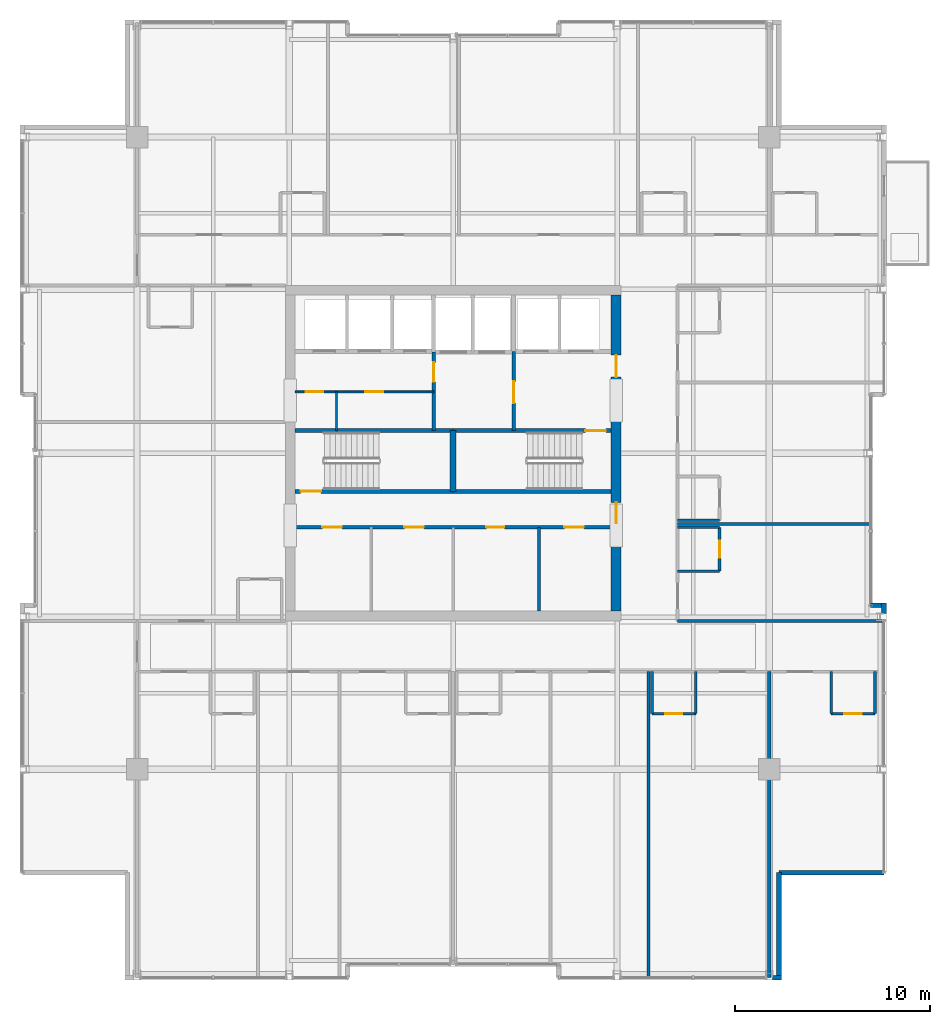
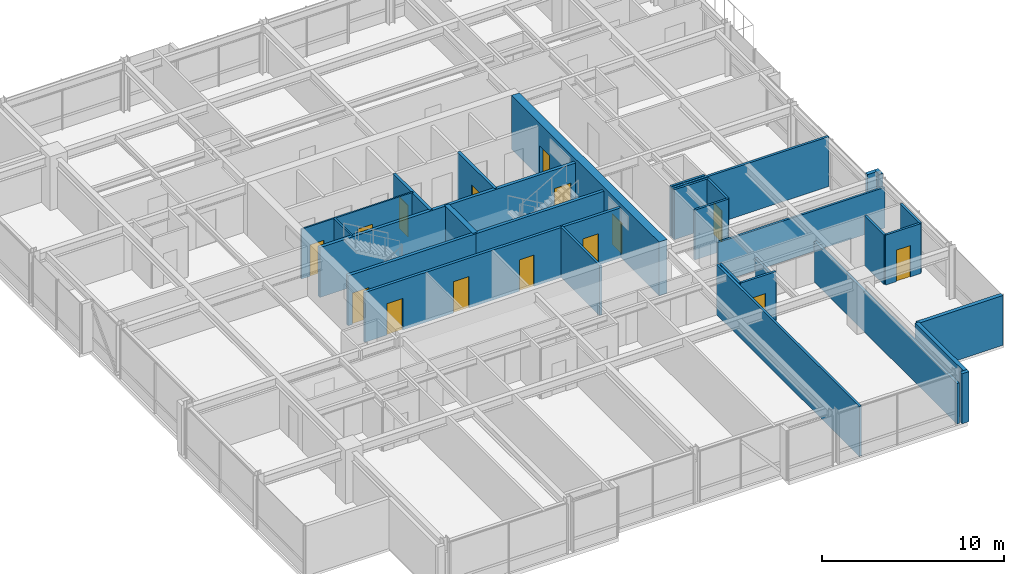
# One storey, part 28 of 33: 31 walls, 15 doors, 15 openings.
"""IFC4 building model written with IfcOpenShell, lengths in metres."""

import ifcopenshell
import ifcopenshell.guid

model = None  # the IFC model being written
_history = None  # IfcOwnerHistory: only IFC2X3 demands one
_inside = {}  # id of a spatial element -> (the spatial element, [elements in it])
_under = {}  # id of a project, library or spatial element -> (it, [spatial elements below it])
_declared = {}  # id of a project -> (the project, [libraries it declares])
_typed = {}  # id of a type object -> (the type object, [elements of that type])
_made_of = {}  # id of a material, layer set ... -> (it, [elements and type objects made of it])


def new_model(schema):
    """Start an empty IFC model of exactly this schema.

    Asked for "IFC4X3", IfcOpenShell would pick the latest addendum, in which some entities
    have other attributes; the version numbers below select the first issue.
    IFC2X3 requires an IfcOwnerHistory on every rooted entity: one is made here for all.
    """
    global model, _history
    if schema == "IFC4X3":
        model = ifcopenshell.file(schema_version=(4, 3, 0, 0))
    else:
        model = ifcopenshell.file(schema=schema)
    _inside.clear()
    _under.clear()
    _declared.clear()
    _typed.clear()
    _made_of.clear()
    _history = None
    if model.schema == "IFC2X3":
        org = make("IfcOrganization", Name="unknown")
        user = make(
            "IfcPersonAndOrganization",
            ThePerson=make("IfcPerson", FamilyName="unknown"),
            TheOrganization=org,
        )
        app = make(
            "IfcApplication",
            ApplicationDeveloper=org,
            Version="unknown",
            ApplicationFullName="unknown",
            ApplicationIdentifier="unknown",
        )
        _history = make(
            "IfcOwnerHistory",
            OwningUser=user,
            OwningApplication=app,
            ChangeAction="ADDED",
            CreationDate=0,
        )
    return model


def make(cls, **values):
    """One entity of the class cls with the attributes given. An attribute that is None is left unset."""
    return model.create_entity(
        cls, **{name: value for name, value in values.items() if value is not None}
    )


def rooted(cls, **values):
    """An entity with a GlobalId (a new one), such as an element, a storey or a relation."""
    return make(cls, GlobalId=ifcopenshell.guid.new(), OwnerHistory=_history, **values)


def si_unit(unit_type, name, prefix=None):
    """IfcSIUnit, for example si_unit("LENGTHUNIT", "METRE", prefix="MILLI")."""
    return make("IfcSIUnit", UnitType=unit_type, Prefix=prefix, Name=name)


def assignment(units):
    """IfcUnitAssignment: the units of a project."""
    return None if units is None else make("IfcUnitAssignment", Units=units)


def point(xyz):
    """IfcCartesianPoint."""
    return None if xyz is None else make("IfcCartesianPoint", Coordinates=xyz)


def direction(xyz):
    """IfcDirection."""
    return None if xyz is None else make("IfcDirection", DirectionRatios=xyz)


def frame(location, z_axis=None, x_axis=None):
    """IfcAxis2Placement3D, a coordinate frame: its origin and axes. An axis left out is left unset."""
    return make(
        "IfcAxis2Placement3D",
        Location=point(location),
        Axis=direction(z_axis),
        RefDirection=direction(x_axis),
    )


def frame_2d(location, x_axis=None):
    """IfcAxis2Placement2D, a coordinate frame in the plane: its origin and x axis."""
    return make(
        "IfcAxis2Placement2D", Location=point(location), RefDirection=direction(x_axis)
    )


def origin():
    """The frame at (0, 0, 0) with its axes left unset."""
    return frame((0.0, 0.0, 0.0))


def place(relative_to, where):
    """IfcLocalPlacement: puts the frame where relative to a parent placement (None: the world)."""
    return make(
        "IfcLocalPlacement", PlacementRelTo=relative_to, RelativePlacement=where
    )


def context(
    kind, dimensions, precision=None, world=None, true_north=None, identifier=None
):
    """IfcGeometricRepresentationContext, for example the 3D "Model" context."""
    return make(
        "IfcGeometricRepresentationContext",
        ContextIdentifier=identifier,
        ContextType=kind,
        CoordinateSpaceDimension=dimensions,
        Precision=precision,
        WorldCoordinateSystem=world,
        TrueNorth=true_north,
    )


def subcontext(parent, identifier, kind, view, scale=None):
    """IfcGeometricRepresentationSubContext, for example "Body" below "Model"."""
    return make(
        "IfcGeometricRepresentationSubContext",
        ContextIdentifier=identifier,
        ContextType=kind,
        ParentContext=parent,
        TargetScale=scale,
        TargetView=view,
    )


def project(units=None, contexts=None):
    """IfcProject with its units and contexts."""
    return rooted(
        "IfcProject",
        Name="project",
        RepresentationContexts=contexts,
        UnitsInContext=assignment(units),
    )


def spatial(cls, under=None, at=None, **own):
    """A site, building, storey or space (cls), placed at a placement, below another one or the project."""
    s = rooted(cls, ObjectPlacement=at, **own)
    if under is not None:
        _under.setdefault(under.id(), (under, []))[1].append(s)
    return s


def profile(cls, at=None, kind="AREA", **sizes):
    """A parametric profile (cls). Its sizes go by their IFC names, for example OverallWidth=200.0."""
    return make(cls, ProfileType=kind, Position=at, **sizes)


def rectangle(**sizes):
    """IfcRectangleProfileDef."""
    return profile("IfcRectangleProfileDef", **sizes)


def extrude(swept, where, along, depth):
    """IfcExtrudedAreaSolid: the profile swept, set in the frame where, extruded along a direction by depth."""
    return make(
        "IfcExtrudedAreaSolid",
        SweptArea=swept,
        Position=where,
        ExtrudedDirection=direction(along),
        Depth=depth,
    )


def shape(context_of_items, identifier, shape_type, items):
    """IfcShapeRepresentation: the items that make up one representation, for example the "Body"."""
    return make(
        "IfcShapeRepresentation",
        ContextOfItems=context_of_items,
        RepresentationIdentifier=identifier,
        RepresentationType=shape_type,
        Items=items,
    )


def material(Name=None, Category=None):
    """IfcMaterial."""
    return make("IfcMaterial", Name=Name, Category=Category)


def layer(
    of_material, thickness, ventilated=None, Name=None, Category=None, Priority=None
):
    """IfcMaterialLayer: one layer of a wall or slab, of a material (None: an air gap)."""
    return make(
        "IfcMaterialLayer",
        Material=of_material,
        LayerThickness=thickness,
        IsVentilated=ventilated,
        Name=Name,
        Category=Category,
        Priority=Priority,
    )


def layer_set(layers, Name=None):
    """IfcMaterialLayerSet."""
    return make("IfcMaterialLayerSet", MaterialLayers=layers, LayerSetName=Name)


def made_of(thing, what):
    """Note that an element or type object is made of a material, layer set ...; save() writes the relation."""
    if what is not None:
        _made_of.setdefault(what.id(), (what, []))[1].append(thing)
    return thing


def type_object(cls, material=None, **own):
    """A type object (cls), such as IfcWallType, which elements share."""
    return made_of(rooted(cls, **own), material)


def element(
    cls,
    number,
    at=None,
    inside=None,
    cuts=None,
    type_object=None,
    material=None,
    context=None,
    identifier="Body",
    shape_type=None,
    held_by="IfcProductDefinitionShape",
    body=None,
    shapes=None,
    **own,
):
    """One element of the class cls, such as IfcWall. Its Tag is "e" and its number.

    at: its placement. inside: the storey or other place that contains it. cuts: it is an
    opening in that element (IfcRelVoidsElement). A single representation is given by context,
    identifier, shape_type and body (its items); several are given by shapes. held_by: the class
    of the entity that holds the representations. save() writes the other relations.
    """
    e = rooted(cls, Tag="e%d" % number, ObjectPlacement=at, **own)
    if body is not None:
        shapes = [shape(context, identifier, shape_type, body)]
    if shapes is not None:
        e.Representation = make(held_by, Representations=shapes)
    if inside is not None:
        _inside.setdefault(inside.id(), (inside, []))[1].append(e)
    if cuts is not None:
        rooted(
            "IfcRelVoidsElement", RelatingBuildingElement=cuts, RelatedOpeningElement=e
        )
    if type_object is not None:
        _typed.setdefault(type_object.id(), (type_object, []))[1].append(e)
    return made_of(e, material)


def fill(opening, filler):
    """IfcRelFillsElement: the door or window that sits in an opening."""
    return rooted(
        "IfcRelFillsElement",
        RelatingOpeningElement=opening,
        RelatedBuildingElement=filler,
    )


def aggregate(whole, parts):
    """IfcRelAggregates: a whole, such as a stair, and the parts it consists of."""
    return rooted("IfcRelAggregates", RelatingObject=whole, RelatedObjects=parts)


def save(model, path):
    """Write the relations noted so far, then the file.

    IfcRelAggregates (storeys below a building ...), IfcRelContainedInSpatialStructure (elements
    in a storey), IfcRelDefinesByType, IfcRelAssociatesMaterial and IfcRelDeclares: one each for
    every whole, place, type object, material and project.
    """
    for whole, parts in _under.values():
        aggregate(whole, parts)
    for where, things in _inside.values():
        rooted(
            "IfcRelContainedInSpatialStructure",
            RelatedElements=things,
            RelatingStructure=where,
        )
    for kind, things in _typed.values():
        rooted("IfcRelDefinesByType", RelatedObjects=things, RelatingType=kind)
    for what, things in _made_of.values():
        rooted("IfcRelAssociatesMaterial", RelatedObjects=things, RelatingMaterial=what)
    for by, libraries in _declared.values():
        rooted("IfcRelDeclares", RelatingContext=by, RelatedDefinitions=libraries)
    model.write(path)


model = new_model("IFC4")

# Units and contexts
model_context = context("Model", 3, precision=1e-05, world=origin(), true_north=direction((0.0, 1.0)))
body_context = subcontext(model_context, "Body", "Model", "MODEL_VIEW")
ifc_project = project(units=[si_unit("LENGTHUNIT", "METRE"), si_unit("AREAUNIT", "SQUARE_METRE"), si_unit("VOLUMEUNIT", "CUBIC_METRE"), si_unit("PLANEANGLEUNIT", "RADIAN"), si_unit("MASSUNIT", "GRAM", prefix="KILO")], contexts=[model_context])

# Site, building, storey
site_placement = place(None, origin())
site = spatial("IfcSite", under=ifc_project, at=site_placement, CompositionType="ELEMENT")
building_placement = place(site_placement, origin())
building = spatial("IfcBuilding", under=site, at=building_placement, Name="Drelvath Grand Hotel", CompositionType="ELEMENT")
storey_placement = place(building_placement, frame((0.0, 0.0, 248.300048828125)))
storey = spatial("IfcBuildingStorey", under=building, at=storey_placement, Name="L65", CompositionType="ELEMENT", Elevation=248.300048828125)

# Wall, openings, doors
ifc_material_1 = material(Name="Gypsum Partition Board")
ifc_layer_1 = layer(ifc_material_1, 0.10009765625)
ifc_layer_set_1 = layer_set([ifc_layer_1], Name="Gypsum Partition Board")
wall_type_1 = type_object("IfcWallType", Name="Core Closet Partition 100", PredefinedType="PARTITIONING", material=ifc_layer_set_1)
wall_1_placement = place(storey_placement, frame((-8.10009765625, 30.139892578125, 0.0), z_axis=(0.0, 0.0, 1.0), x_axis=(1.0, 0.0, 0.0)))
wall_1 = element("IfcWall", 1, at=wall_1_placement, inside=storey, type_object=wall_type_1, Name="L65 High-Rise Lobby Closet Wall", PredefinedType="PARTITIONING", context=body_context, shape_type="SweptSolid", body=[
    extrude(rectangle(XDim=7.10009765625, YDim=0.10009765625, at=frame_2d((3.550048828125, 0.0))), origin(), (0.0, 0.0, 1.0), 3.33984375),
])
opening_1_placement = place(wall_1_placement, frame((0.550048828125, 0.0, 0.0)))
opening_1 = element("IfcOpeningElement", 2, at=opening_1_placement, cuts=wall_1, Name="Opening D-T4G5-013", PredefinedType="OPENING", context=body_context, shape_type="SweptSolid", body=[
    extrude(rectangle(XDim=0.8798828125, YDim=2.10009765625, at=frame_2d((0.43994140625, 1.050048828125))), frame((0.0, 0.06005859375, 0.0), z_axis=(0.0, -1.0, 0.0), x_axis=(1.0, 0.0, 0.0)), (0.0, 0.0, 1.0), 0.1201171875),
])
opening_2_placement = place(wall_1_placement, frame((3.60009765625, 0.0, 0.0)))
opening_2 = element("IfcOpeningElement", 3, at=opening_2_placement, cuts=wall_1, Name="Opening D-T4G5-014", PredefinedType="OPENING", context=body_context, shape_type="SweptSolid", body=[
    extrude(rectangle(XDim=0.919921875, YDim=2.10009765625, at=frame_2d((0.4599609375, 1.050048828125))), frame((0.0, 0.06005859375, 0.0), z_axis=(0.0, -1.0, 0.0), x_axis=(1.0, 0.0, 0.0)), (0.0, 0.0, 1.0), 0.1201171875),
])
ifc_material_2 = material(Name="Hardwood Walnut Timber", Category="wood")
door_type_1 = type_object("IfcDoorType", Name="En-Suite Bathroom Door 880x2100", OperationType="NOTDEFINED", PredefinedType="DOOR", material=ifc_material_2)
door_1_placement = place(opening_1_placement, origin())
door_1 = element("IfcDoor", 4, at=door_1_placement, inside=storey, type_object=door_type_1, Name="L65 Low-Voltage Closet Door", OperationType="SINGLE_SWING_RIGHT", OverallHeight=2.10009765625, OverallWidth=0.8798828125, PredefinedType="DOOR", context=body_context, shape_type="SweptSolid", body=[
    extrude(rectangle(XDim=0.8798828125, YDim=2.10009765625, at=frame_2d((0.43994140625, 1.050048828125))), frame((0.0, 0.02490234375, 0.0), z_axis=(0.0, -1.0, 0.0), x_axis=(1.0, 0.0, 0.0)), (0.0, 0.0, 1.0), 0.050048828125),
])
fill(opening_1, door_1)
ifc_material_3 = material(Name="Painted Steel S275", Category="steel")
door_type_2 = type_object("IfcDoorType", Name="Staff Utility Door 920x2100", OperationType="NOTDEFINED", PredefinedType="DOOR", material=ifc_material_3)
door_2_placement = place(opening_2_placement, origin())
door_2 = element("IfcDoor", 5, at=door_2_placement, inside=storey, type_object=door_type_2, Name="L65 Telecom Distribution Door", OperationType="SINGLE_SWING_LEFT", OverallHeight=2.10009765625, OverallWidth=0.919921875, PredefinedType="DOOR", context=body_context, shape_type="SweptSolid", body=[
    extrude(rectangle(XDim=0.919921875, YDim=2.10009765625, at=frame_2d((0.4599609375, 1.050048828125))), frame((0.0, 0.02490234375, 0.0), z_axis=(0.0, -1.0, 0.0), x_axis=(1.0, 0.0, 0.0)), (0.0, 0.0, 1.0), 0.050048828125),
])
fill(opening_2, door_2)

# Wall
wall_2_placement = place(storey_placement, frame((-5.97998046875, 28.159912109375, 0.0), z_axis=(0.0, 0.0, 1.0), x_axis=(0.0, 1.0, 0.0)))
element("IfcWall", 6, at=wall_2_placement, inside=storey, type_object=wall_type_1, Name="L65 Core Closet Split 2", PredefinedType="PARTITIONING", context=body_context, shape_type="SweptSolid", body=[
    extrude(rectangle(XDim=1.97998046875, YDim=0.10009765625, at=frame_2d((0.989990234375, 0.0))), origin(), (0.0, 0.0, 1.0), 3.33984375),
])

# Wall, opening, door
ifc_material_4 = material(Name="Concrete C40/50", Category="concrete")
ifc_layer_2 = layer(ifc_material_4, 0.199951171875)
ifc_layer_set_2 = layer_set([ifc_layer_2], Name="Concrete C40/50")
wall_type_2 = type_object("IfcWallType", Name="Core Shaft Fire Wall 200", PredefinedType="SOLIDWALL", material=ifc_layer_set_2)
wall_3_placement = place(storey_placement, frame((-8.10009765625, 25.0400390625, 0.0), z_axis=(0.0, 0.0, 1.0), x_axis=(1.0, 0.0, 0.0)))
wall_3 = element("IfcWall", 7, at=wall_3_placement, inside=storey, type_object=wall_type_2, Name="L65 Stair ST-1 South Wall", PredefinedType="SOLIDWALL", context=body_context, shape_type="SweptSolid", body=[
    extrude(rectangle(XDim=8.10009765625, YDim=0.199951171875, at=frame_2d((4.050048828125, 0.0))), origin(), (0.0, 0.0, 1.0), 3.33984375),
])
opening_3_placement = place(wall_3_placement, frame((0.280029296875, 0.0, 0.0)))
opening_3 = element("IfcOpeningElement", 8, at=opening_3_placement, cuts=wall_3, Name="Opening D-T4G5-001", PredefinedType="OPENING", context=body_context, shape_type="SweptSolid", body=[
    extrude(rectangle(XDim=1.050048828125, YDim=2.10009765625, at=frame_2d((0.52490234375, 1.050048828125))), frame((0.0, 0.10986328125, 0.0), z_axis=(0.0, -1.0, 0.0), x_axis=(1.0, 0.0, 0.0)), (0.0, 0.0, 1.0), 0.219970703125),
])
door_type_3 = type_object("IfcDoorType", Name="Tower Stairwell Fire Door 1050x2100", OperationType="NOTDEFINED", PredefinedType="DOOR", material=ifc_material_3)
door_3_placement = place(opening_3_placement, origin())
door_3 = element("IfcDoor", 9, at=door_3_placement, inside=storey, type_object=door_type_3, Name="L65 Exit Stair ST-1 Door", OperationType="SINGLE_SWING_LEFT", OverallHeight=2.10009765625, OverallWidth=1.050048828125, PredefinedType="DOOR", context=body_context, shape_type="SweptSolid", body=[
    extrude(rectangle(XDim=1.050048828125, YDim=2.10009765625, at=frame_2d((0.52490234375, 1.050048828125))), frame((0.0, 0.02490234375, 0.0), z_axis=(0.0, -1.0, 0.0), x_axis=(1.0, 0.0, 0.0)), (0.0, 0.0, 1.0), 0.050048828125),
])
fill(opening_3, door_3)

# Walls
for number, where, z_axis, x_axis, name in (
    (10, (-8.10009765625, 28.159912109375, 0.0), (0.0, 0.0, 1.0), (1.0, 0.0, 0.0), "L65 Stair ST-1 North Wall"),
    (11, (0.0, 25.0400390625, 0.0), (0.0, 0.0, 1.0), (1.0, 0.0, 0.0), "L65 Stair ST-2 South Wall"),
):
    element("IfcWall", number, at=place(storey_placement, frame(where, z_axis=z_axis, x_axis=x_axis)), inside=storey, type_object=wall_type_2, Name=name, PredefinedType="SOLIDWALL", context=body_context, shape_type="SweptSolid", body=[
        extrude(rectangle(XDim=8.10009765625, YDim=0.199951171875, at=frame_2d((4.050048828125, 0.0))), origin(), (0.0, 0.0, 1.0), 3.33984375),
    ])

# Wall, opening, door
wall_4_placement = place(storey_placement, frame((8.10009765625, 28.159912109375, 0.0), z_axis=(0.0, 0.0, 1.0), x_axis=(-1.0, 0.0, 0.0)))
wall_4 = element("IfcWall", 12, at=wall_4_placement, inside=storey, type_object=wall_type_2, Name="L65 Stair ST-2 North Wall", PredefinedType="SOLIDWALL", context=body_context, shape_type="SweptSolid", body=[
    extrude(rectangle(XDim=8.10009765625, YDim=0.199951171875, at=frame_2d((4.050048828125, 0.0))), origin(), (0.0, 0.0, 1.0), 3.33984375),
])
opening_4_placement = place(wall_4_placement, frame((0.280029296875, 0.0, 0.0)))
opening_4 = element("IfcOpeningElement", 13, at=opening_4_placement, cuts=wall_4, Name="Opening D-T4G5-002", PredefinedType="OPENING", context=body_context, shape_type="SweptSolid", body=[
    extrude(rectangle(XDim=1.050048828125, YDim=2.10009765625, at=frame_2d((0.52490234375, 1.050048828125))), frame((0.0, 0.10986328125, 0.0), z_axis=(0.0, -1.0, 0.0), x_axis=(1.0, 0.0, 0.0)), (0.0, 0.0, 1.0), 0.219970703125),
])
door_4_placement = place(opening_4_placement, origin())
door_4 = element("IfcDoor", 14, at=door_4_placement, inside=storey, type_object=door_type_3, Name="L65 Exit Stair ST-2 Door", OperationType="SINGLE_SWING_LEFT", OverallHeight=2.10009765625, OverallWidth=1.050048828125, PredefinedType="DOOR", context=body_context, shape_type="SweptSolid", body=[
    extrude(rectangle(XDim=1.050048828125, YDim=2.10009765625, at=frame_2d((0.52490234375, 1.050048828125))), frame((0.0, 0.02490234375, 0.0), z_axis=(0.0, -1.0, 0.0), x_axis=(1.0, 0.0, 0.0)), (0.0, 0.0, 1.0), 0.050048828125),
])
fill(opening_4, door_4)

# Walls
ifc_layer_3 = layer(ifc_material_4, 0.300048828125)
ifc_layer_set_3 = layer_set([ifc_layer_3], Name="Concrete C40/50")
wall_type_3 = type_object("IfcWallType", Name="Core Shaft Fire Wall 300", PredefinedType="SOLIDWALL", material=ifc_layer_set_3)
wall_5_placement = place(storey_placement, frame((0.0, 25.0400390625, 0.0), z_axis=(0.0, 0.0, 1.0), x_axis=(0.0, 1.0, 0.0)))
element("IfcWall", 15, at=wall_5_placement, inside=storey, type_object=wall_type_3, Name="L65 Core Stair Divider Wall", PredefinedType="SOLIDWALL", context=body_context, shape_type="SweptSolid", body=[
    extrude(rectangle(XDim=3.119873046875, YDim=0.300048828125, at=frame_2d((1.56005859375, 0.0))), origin(), (0.0, 0.0, 1.0), 3.33984375),
])
ifc_material_5 = material(Name="Gypsum Fireboard Partition")
ifc_layer_4 = layer(ifc_material_5, 0.135009765625)
ifc_layer_set_4 = layer_set([ifc_layer_4], Name="Gypsum Fireboard Partition")
wall_type_4 = type_object("IfcWallType", Name="Corridor Fire Barrier Wall 135", PredefinedType="PARTITIONING", material=ifc_layer_set_4)
wall_6_placement = place(storey_placement, frame((11.5, 18.39990234375, 0.0), z_axis=(0.0, 0.0, 1.0), x_axis=(1.0, 0.0, 0.0)))
element("IfcWall", 16, at=wall_6_placement, inside=storey, type_object=wall_type_4, Name="L65 South Gallery Inner East Wall", PredefinedType="PARTITIONING", context=body_context, shape_type="SweptSolid", body=[
    extrude(rectangle(XDim=10.580078125, YDim=0.135009765625, at=frame_2d((5.2900390625, 0.0))), origin(), (0.0, 0.0, 1.0), 2.71728515625),
])
ifc_material_6 = material(Name="Moisture-Resistant Gypsum Board")
ifc_layer_5 = layer(ifc_material_6, 0.139892578125)
ifc_layer_set_5 = layer_set([ifc_layer_5], Name="Moisture-Resistant Gypsum Board")
wall_type_5 = type_object("IfcWallType", Name="En-Suite Plumbing Wall 140", PredefinedType="PLUMBINGWALL", material=ifc_layer_set_5)
wall_7_placement = place(storey_placement, frame((4.39990234375, 18.89990234375, 0.0), z_axis=(0.0, 0.0, 1.0), x_axis=(0.0, 1.0, 0.0)))
element("IfcWall", 17, at=wall_7_placement, inside=storey, type_object=wall_type_5, Name="L65 Upper Core Split 2C", PredefinedType="PLUMBINGWALL", context=body_context, shape_type="SweptSolid", body=[
    extrude(rectangle(XDim=4.300048828125, YDim=0.139892578125, at=frame_2d((2.14990234375, 0.0))), origin(), (0.0, 0.0, 1.0), 3.33984375),
])
for number, where, z_axis, x_axis, name in (
    (18, (19.3701171875, 15.800048828125, 0.0), (0.0, 0.0, 1.0), (0.0, -1.0, 0.0), "L65 En-Suite Left Wall"),
    (19, (21.6201171875, 15.800048828125, 0.0), (0.0, 0.0, 1.0), (0.0, -1.0, 0.0), "L65 En-Suite Right Wall"),
):
    element("IfcWall", number, at=place(storey_placement, frame(where, z_axis=z_axis, x_axis=x_axis)), inside=storey, type_object=wall_type_5, Name=name, PredefinedType="PLUMBINGWALL", context=body_context, shape_type="SweptSolid", body=[
        extrude(rectangle(XDim=2.150146484375, YDim=0.139892578125, at=frame_2d((1.0751953125, 0.0))), origin(), (0.0, 0.0, 1.0), 3.33984375),
    ])

# Wall, opening, door
wall_8_placement = place(storey_placement, frame((19.3701171875, 13.64990234375, 0.0), z_axis=(0.0, 0.0, 1.0), x_axis=(1.0, 0.0, 0.0)))
wall_8 = element("IfcWall", 20, at=wall_8_placement, inside=storey, type_object=wall_type_5, Name="L65 En-Suite Front Wall", PredefinedType="PLUMBINGWALL", context=body_context, shape_type="SweptSolid", body=[
    extrude(rectangle(XDim=2.25, YDim=0.139892578125, at=frame_2d((1.125, 0.0))), origin(), (0.0, 0.0, 1.0), 3.33984375),
])
opening_5_placement = place(wall_8_placement, frame((0.68505859375, 0.0, 0.0)))
opening_5 = element("IfcOpeningElement", 21, at=opening_5_placement, cuts=wall_8, Name="Opening D-T4G5-022", PredefinedType="OPENING", context=body_context, shape_type="SweptSolid", body=[
    extrude(rectangle(XDim=0.8798828125, YDim=2.10009765625, at=frame_2d((0.43994140625, 1.050048828125))), frame((0.0, 0.079833984375, 0.0), z_axis=(0.0, -1.0, 0.0), x_axis=(1.0, 0.0, 0.0)), (0.0, 0.0, 1.0), 0.159912109375),
])
door_5_placement = place(opening_5_placement, origin())
door_5 = element("IfcDoor", 22, at=door_5_placement, inside=storey, type_object=door_type_1, Name="L65 En-Suite Bathroom Door", OperationType="SINGLE_SWING_LEFT", OverallHeight=2.10009765625, OverallWidth=0.8798828125, PredefinedType="DOOR", context=body_context, shape_type="SweptSolid", body=[
    extrude(rectangle(XDim=0.8798828125, YDim=2.10009765625, at=frame_2d((0.43994140625, 1.050048828125))), frame((0.0, 0.02490234375, 0.0), z_axis=(0.0, -1.0, 0.0), x_axis=(1.0, 0.0, 0.0)), (0.0, 0.0, 1.0), 0.050048828125),
])
fill(opening_5, door_5)

# Walls
wall_9_placement = place(storey_placement, frame((10.185791015625, 15.800048828125, 0.0), z_axis=(0.0, 0.0, 1.0), x_axis=(0.0, -1.0, 0.0)))
element("IfcWall", 23, at=wall_9_placement, inside=storey, type_object=wall_type_5, Name="L65 En-Suite Left Wall", PredefinedType="PLUMBINGWALL", context=body_context, shape_type="SweptSolid", body=[
    extrude(rectangle(XDim=2.150146484375, YDim=0.139892578125, at=frame_2d((1.0751953125, 0.0))), origin(), (0.0, 0.0, 1.0), 3.33984375),
])
wall_10_placement = place(storey_placement, frame((12.435791015625, 15.800048828125, 0.0), z_axis=(0.0, 0.0, 1.0), x_axis=(0.0, -1.0, 0.0)))
element("IfcWall", 24, at=wall_10_placement, inside=storey, type_object=wall_type_5, Name="L65 En-Suite Right Wall", PredefinedType="PLUMBINGWALL", context=body_context, shape_type="SweptSolid", body=[
    extrude(rectangle(XDim=2.150146484375, YDim=0.139892578125, at=frame_2d((1.0751953125, 0.0))), origin(), (0.0, 0.0, 1.0), 2.918212890625),
])

# Wall, opening, door
wall_11_placement = place(storey_placement, frame((10.185791015625, 13.64990234375, 0.0), z_axis=(0.0, 0.0, 1.0), x_axis=(1.0, 0.0, 0.0)))
wall_11 = element("IfcWall", 25, at=wall_11_placement, inside=storey, type_object=wall_type_5, Name="L65 En-Suite Front Wall", PredefinedType="PLUMBINGWALL", context=body_context, shape_type="SweptSolid", body=[
    extrude(rectangle(XDim=2.25, YDim=0.139892578125, at=frame_2d((1.125, 0.0))), origin(), (0.0, 0.0, 1.0), 3.33984375),
])
opening_6_placement = place(wall_11_placement, frame((0.68505859375, 0.0, 0.0)))
opening_6 = element("IfcOpeningElement", 26, at=opening_6_placement, cuts=wall_11, Name="Opening D-T4G5-034", PredefinedType="OPENING", context=body_context, shape_type="SweptSolid", body=[
    extrude(rectangle(XDim=0.8798828125, YDim=2.10009765625, at=frame_2d((0.43994140625, 1.050048828125))), frame((0.0, 0.079833984375, 0.0), z_axis=(0.0, -1.0, 0.0), x_axis=(1.0, 0.0, 0.0)), (0.0, 0.0, 1.0), 0.159912109375),
])
door_6_placement = place(opening_6_placement, origin())
door_6 = element("IfcDoor", 27, at=door_6_placement, inside=storey, type_object=door_type_1, Name="L65 En-Suite Bathroom Door", OperationType="SINGLE_SWING_LEFT", OverallHeight=2.10009765625, OverallWidth=0.8798828125, PredefinedType="DOOR", context=body_context, shape_type="SweptSolid", body=[
    extrude(rectangle(XDim=0.8798828125, YDim=2.10009765625, at=frame_2d((0.43994140625, 1.050048828125))), frame((0.0, 0.02490234375, 0.0), z_axis=(0.0, -1.0, 0.0), x_axis=(1.0, 0.0, 0.0)), (0.0, 0.0, 1.0), 0.050048828125),
])
fill(opening_6, door_6)

# Walls
for number, where, z_axis, x_axis, name in (
    (28, (11.5, 20.948974609375, 0.0), (0.0, 0.0, 1.0), (1.0, 0.0, 0.0), "L65 En-Suite Left Wall"),
    (29, (11.5, 23.198974609375, 0.0), (0.0, 0.0, 1.0), (1.0, 0.0, 0.0), "L65 En-Suite Right Wall"),
):
    element("IfcWall", number, at=place(storey_placement, frame(where, z_axis=z_axis, x_axis=x_axis)), inside=storey, type_object=wall_type_5, Name=name, PredefinedType="PLUMBINGWALL", context=body_context, shape_type="SweptSolid", body=[
        extrude(rectangle(XDim=2.14990234375, YDim=0.139892578125, at=frame_2d((1.074951171875, 0.0))), origin(), (0.0, 0.0, 1.0), 3.33984375),
    ])

# Wall, opening, door
wall_12_placement = place(storey_placement, frame((13.64990234375, 20.948974609375, 0.0), z_axis=(0.0, 0.0, 1.0), x_axis=(0.0, 1.0, 0.0)))
wall_12 = element("IfcWall", 30, at=wall_12_placement, inside=storey, type_object=wall_type_5, Name="L65 En-Suite Front Wall", PredefinedType="PLUMBINGWALL", context=body_context, shape_type="SweptSolid", body=[
    extrude(rectangle(XDim=2.25, YDim=0.139892578125, at=frame_2d((1.125, 0.0))), origin(), (0.0, 0.0, 1.0), 3.33984375),
])
opening_7_placement = place(wall_12_placement, frame((0.68505859375, 0.0, 0.0)))
opening_7 = element("IfcOpeningElement", 31, at=opening_7_placement, cuts=wall_12, Name="Opening D-T4G5-042", PredefinedType="OPENING", context=body_context, shape_type="SweptSolid", body=[
    extrude(rectangle(XDim=0.8798828125, YDim=2.10009765625, at=frame_2d((0.43994140625, 1.050048828125))), frame((0.0, 0.079833984375, 0.0), z_axis=(0.0, -1.0, 0.0), x_axis=(1.0, 0.0, 0.0)), (0.0, 0.0, 1.0), 0.159912109375),
])
door_7_placement = place(opening_7_placement, origin())
door_7 = element("IfcDoor", 32, at=door_7_placement, inside=storey, type_object=door_type_1, Name="L65 En-Suite Bathroom Door", OperationType="SINGLE_SWING_LEFT", OverallHeight=2.10009765625, OverallWidth=0.8798828125, PredefinedType="DOOR", context=body_context, shape_type="SweptSolid", body=[
    extrude(rectangle(XDim=0.8798828125, YDim=2.10009765625, at=frame_2d((0.43994140625, 1.050048828125))), frame((0.0, 0.02490234375, 0.0), z_axis=(0.0, -1.0, 0.0), x_axis=(1.0, 0.0, 0.0)), (0.0, 0.0, 1.0), 0.050048828125),
])
fill(opening_7, door_7)

# Wall
wall_13_placement = place(storey_placement, frame((11.5, 23.558837890625, 0.0), z_axis=(0.0, 0.0, 1.0), x_axis=(1.0, 0.0, 0.0)))
element("IfcWall", 33, at=wall_13_placement, inside=storey, type_object=wall_type_5, Name="L65 En-Suite Left Wall", PredefinedType="PLUMBINGWALL", context=body_context, shape_type="SweptSolid", body=[
    extrude(rectangle(XDim=2.14990234375, YDim=0.139892578125, at=frame_2d((1.074951171875, 0.0))), origin(), (0.0, 0.0, 1.0), 3.33984375),
])

# Wall, opening, door
ifc_layer_6 = layer(ifc_material_5, 0.179931640625)
ifc_layer_set_6 = layer_set([ifc_layer_6], Name="Gypsum Fireboard Partition")
wall_type_6 = type_object("IfcWallType", Name="FSAE Smoke Lobby Fire Wall 180", PredefinedType="SOLIDWALL", material=ifc_layer_set_6)
wall_14_placement = place(storey_placement, frame((3.10009765625, 28.159912109375, 0.0), z_axis=(0.0, 0.0, 1.0), x_axis=(0.0, 1.0, 0.0)))
wall_14 = element("IfcWall", 34, at=wall_14_placement, inside=storey, type_object=wall_type_6, Name="L65 FSAE Smoke Lobby West Wall", PredefinedType="SOLIDWALL", context=body_context, shape_type="SweptSolid", body=[
    extrude(rectangle(XDim=4.06005859375, YDim=0.179931640625, at=frame_2d((2.030029296875, 0.0))), origin(), (0.0, 0.0, 1.0), 3.33984375),
])
opening_8_placement = place(wall_14_placement, frame((1.39990234375, 0.0, 0.0)))
opening_8 = element("IfcOpeningElement", 35, at=opening_8_placement, cuts=wall_14, Name="Opening D-T4G5-005", PredefinedType="OPENING", context=body_context, shape_type="SweptSolid", body=[
    extrude(rectangle(XDim=1.1201171875, YDim=2.10009765625, at=frame_2d((0.56005859375, 1.050048828125))), frame((0.0, 0.099853515625, 0.0), z_axis=(0.0, -1.0, 0.0), x_axis=(1.0, 0.0, 0.0)), (0.0, 0.0, 1.0), 0.199951171875),
])
door_type_4 = type_object("IfcDoorType", Name="FSAE Smoke Lobby Fire Door 1120x2100", OperationType="NOTDEFINED", PredefinedType="DOOR", material=ifc_material_3)
door_8_placement = place(opening_8_placement, origin())
door_8 = element("IfcDoor", 36, at=door_8_placement, inside=storey, type_object=door_type_4, Name="L65 FSAE Lobby Service Vestibule Door", OperationType="SINGLE_SWING_RIGHT", OverallHeight=2.10009765625, OverallWidth=1.1201171875, PredefinedType="DOOR", context=body_context, shape_type="SweptSolid", body=[
    extrude(rectangle(XDim=1.1201171875, YDim=2.10009765625, at=frame_2d((0.56005859375, 1.050048828125))), frame((0.0, 0.02490234375, 0.0), z_axis=(0.0, -1.0, 0.0), x_axis=(1.0, 0.0, 0.0)), (0.0, 0.0, 1.0), 0.050048828125),
])
fill(opening_8, door_8)

wall_15_placement = place(storey_placement, frame((-1.0, 28.159912109375, 0.0), z_axis=(0.0, 0.0, 1.0), x_axis=(0.0, 1.0, 0.0)))
wall_15 = element("IfcWall", 37, at=wall_15_placement, inside=storey, type_object=wall_type_6, Name="L65 Service Vestibule West Wall", PredefinedType="SOLIDWALL", context=body_context, shape_type="SweptSolid", body=[
    extrude(rectangle(XDim=4.02001953125, YDim=0.179931640625, at=frame_2d((2.010009765625, 0.0))), origin(), (0.0, 0.0, 1.0), 3.33984375),
])
opening_9_placement = place(wall_15_placement, frame((2.489990234375, 0.0, 0.0)))
opening_9 = element("IfcOpeningElement", 38, at=opening_9_placement, cuts=wall_15, Name="Opening D-T4G5-009", PredefinedType="OPENING", context=body_context, shape_type="SweptSolid", body=[
    extrude(rectangle(XDim=1.0, YDim=2.10009765625, at=frame_2d((0.5, 1.050048828125))), frame((0.0, 0.099853515625, 0.0), z_axis=(0.0, -1.0, 0.0), x_axis=(1.0, 0.0, 0.0)), (0.0, 0.0, 1.0), 0.199951171875),
])
door_type_5 = type_object("IfcDoorType", Name="Core Service Fire Door 1000x2100", OperationType="NOTDEFINED", PredefinedType="DOOR", material=ifc_material_3)
door_9_placement = place(opening_9_placement, origin())
door_9 = element("IfcDoor", 39, at=door_9_placement, inside=storey, type_object=door_type_5, Name="L65 Service Vestibule West Door", OperationType="SINGLE_SWING_LEFT", OverallHeight=2.10009765625, OverallWidth=1.0, PredefinedType="DOOR", context=body_context, shape_type="SweptSolid", body=[
    extrude(rectangle(XDim=1.0, YDim=2.10009765625, at=frame_2d((0.5, 1.050048828125))), frame((0.0, 0.02490234375, 0.0), z_axis=(0.0, -1.0, 0.0), x_axis=(1.0, 0.0, 0.0)), (0.0, 0.0, 1.0), 0.050048828125),
])
fill(opening_9, door_9)

# Wall, openings, doors
wall_16_placement = place(storey_placement, frame((-8.10009765625, 23.199951171875, 0.0), z_axis=(0.0, 0.0, 1.0), x_axis=(1.0, 0.0, 0.0)))
wall_16 = element("IfcWall", 40, at=wall_16_placement, inside=storey, type_object=wall_type_6, Name="L65 Upper Reclaimed Core Wall", PredefinedType="SOLIDWALL", context=body_context, shape_type="SweptSolid", body=[
    extrude(rectangle(XDim=16.2001953125, YDim=0.179931640625, at=frame_2d((8.10009765625, 0.0))), origin(), (0.0, 0.0, 1.0), 3.33984375),
])
opening_10_placement = place(wall_16_placement, frame((1.39990234375, 0.0, 0.0)))
opening_10 = element("IfcOpeningElement", 41, at=opening_10_placement, cuts=wall_16, Name="Opening D-T4G5-016", PredefinedType="OPENING", context=body_context, shape_type="SweptSolid", body=[
    extrude(rectangle(XDim=1.0, YDim=2.10009765625, at=frame_2d((0.5, 1.050048828125))), frame((0.0, 0.099853515625, 0.0), z_axis=(0.0, -1.0, 0.0), x_axis=(1.0, 0.0, 0.0)), (0.0, 0.0, 1.0), 0.199951171875),
])
opening_11_placement = place(wall_16_placement, frame((5.60009765625, 0.0, 0.0)))
opening_11 = element("IfcOpeningElement", 42, at=opening_11_placement, cuts=wall_16, Name="Opening D-T4G5-017", PredefinedType="OPENING", context=body_context, shape_type="SweptSolid", body=[
    extrude(rectangle(XDim=1.0, YDim=2.10009765625, at=frame_2d((0.5, 1.050048828125))), frame((0.0, 0.099853515625, 0.0), z_axis=(0.0, -1.0, 0.0), x_axis=(1.0, 0.0, 0.0)), (0.0, 0.0, 1.0), 0.199951171875),
])
opening_12_placement = place(wall_16_placement, frame((9.800048828125, 0.0, 0.0)))
opening_12 = element("IfcOpeningElement", 43, at=opening_12_placement, cuts=wall_16, Name="Opening D-T4G5-018", PredefinedType="OPENING", context=body_context, shape_type="SweptSolid", body=[
    extrude(rectangle(XDim=0.919921875, YDim=2.10009765625, at=frame_2d((0.4599609375, 1.050048828125))), frame((0.0, 0.099853515625, 0.0), z_axis=(0.0, -1.0, 0.0), x_axis=(1.0, 0.0, 0.0)), (0.0, 0.0, 1.0), 0.199951171875),
])
opening_13_placement = place(wall_16_placement, frame((13.800048828125, 0.0, 0.0)))
opening_13 = element("IfcOpeningElement", 44, at=opening_13_placement, cuts=wall_16, Name="Opening D-T4G5-019", PredefinedType="OPENING", context=body_context, shape_type="SweptSolid", body=[
    extrude(rectangle(XDim=1.0, YDim=2.10009765625, at=frame_2d((0.5, 1.050048828125))), frame((0.0, 0.099853515625, 0.0), z_axis=(0.0, -1.0, 0.0), x_axis=(1.0, 0.0, 0.0)), (0.0, 0.0, 1.0), 0.199951171875),
])
door_10_placement = place(opening_10_placement, origin())
door_10 = element("IfcDoor", 45, at=door_10_placement, inside=storey, type_object=door_type_5, Name="L65 Housekeeping Door", OperationType="SINGLE_SWING_LEFT", OverallHeight=2.10009765625, OverallWidth=1.0, PredefinedType="DOOR", context=body_context, shape_type="SweptSolid", body=[
    extrude(rectangle(XDim=1.0, YDim=2.10009765625, at=frame_2d((0.5, 1.050048828125))), frame((0.0, 0.02490234375, 0.0), z_axis=(0.0, -1.0, 0.0), x_axis=(1.0, 0.0, 0.0)), (0.0, 0.0, 1.0), 0.050048828125),
])
fill(opening_10, door_10)
door_11_placement = place(opening_11_placement, origin())
door_11 = element("IfcDoor", 46, at=door_11_placement, inside=storey, type_object=door_type_5, Name="L65 Valet Door", OperationType="SINGLE_SWING_RIGHT", OverallHeight=2.10009765625, OverallWidth=1.0, PredefinedType="DOOR", context=body_context, shape_type="SweptSolid", body=[
    extrude(rectangle(XDim=1.0, YDim=2.10009765625, at=frame_2d((0.5, 1.050048828125))), frame((0.0, 0.02490234375, 0.0), z_axis=(0.0, -1.0, 0.0), x_axis=(1.0, 0.0, 0.0)), (0.0, 0.0, 1.0), 0.050048828125),
])
fill(opening_11, door_11)
door_12_placement = place(opening_12_placement, origin())
door_12 = element("IfcDoor", 47, at=door_12_placement, inside=storey, type_object=door_type_5, Name="L65 Staff WC Door", OperationType="SINGLE_SWING_LEFT", OverallHeight=2.10009765625, OverallWidth=0.919921875, PredefinedType="DOOR", context=body_context, shape_type="SweptSolid", body=[
    extrude(rectangle(XDim=0.919921875, YDim=2.10009765625, at=frame_2d((0.4599609375, 1.050048828125))), frame((0.0, 0.02490234375, 0.0), z_axis=(0.0, -1.0, 0.0), x_axis=(1.0, 0.0, 0.0)), (0.0, 0.0, 1.0), 0.050048828125),
])
fill(opening_12, door_12)
door_13_placement = place(opening_13_placement, origin())
door_13 = element("IfcDoor", 48, at=door_13_placement, inside=storey, type_object=door_type_5, Name="L65 Telecom Door", OperationType="SINGLE_SWING_RIGHT", OverallHeight=2.10009765625, OverallWidth=1.0, PredefinedType="DOOR", context=body_context, shape_type="SweptSolid", body=[
    extrude(rectangle(XDim=1.0, YDim=2.10009765625, at=frame_2d((0.5, 1.050048828125))), frame((0.0, 0.02490234375, 0.0), z_axis=(0.0, -1.0, 0.0), x_axis=(1.0, 0.0, 0.0)), (0.0, 0.0, 1.0), 0.050048828125),
])
fill(opening_13, door_13)

# Walls
ifc_material_7 = material(Name="Gypsum Acoustic Partition")
ifc_layer_7 = layer(ifc_material_7, 0.14990234375)
ifc_layer_set_7 = layer_set([ifc_layer_7], Name="Gypsum Acoustic Partition")
wall_type_7 = type_object("IfcWallType", Name="Guestroom Demising Wall 150", PredefinedType="PARTITIONING", material=ifc_layer_set_7)
wall_17_placement = place(storey_placement, frame((10.005859375, 0.1201171875, 0.0), z_axis=(0.0, 0.0, 1.0), x_axis=(0.0, 1.0, 0.0)))
element("IfcWall", 49, at=wall_17_placement, inside=storey, type_object=wall_type_7, Name="L65 South Demising 5", PredefinedType="PARTITIONING", context=body_context, shape_type="SweptSolid", body=[
    extrude(rectangle(XDim=15.679931640625, YDim=0.14990234375, at=frame_2d((7.83984375, 0.0))), origin(), (0.0, 0.0, 1.0), 3.33984375),
])
wall_18_placement = place(storey_placement, frame((11.5, 23.37890625, 0.0), z_axis=(0.0, 0.0, 1.0), x_axis=(1.0, 0.0, 0.0)))
element("IfcWall", 50, at=wall_18_placement, inside=storey, type_object=wall_type_7, Name="L65 East Demising 1", PredefinedType="PARTITIONING", context=body_context, shape_type="SweptSolid", body=[
    extrude(rectangle(XDim=9.89990234375, YDim=0.14990234375, at=frame_2d((4.949951171875, 0.0))), origin(), (0.0, 0.0, 1.0), 3.33984375),
])
ifc_layer_8 = layer(ifc_material_7, 0.1650390625)
ifc_layer_set_8 = layer_set([ifc_layer_8], Name="Gypsum Acoustic Partition")
wall_type_8 = type_object("IfcWallType", Name="Suite Demising Wall 165", PredefinedType="PARTITIONING", material=ifc_layer_set_8)
wall_19_placement = place(storey_placement, frame((16.199951171875, 0.1201171875, 0.0), z_axis=(0.0, 0.0, 1.0), x_axis=(0.0, 1.0, 0.0)))
element("IfcWall", 51, at=wall_19_placement, inside=storey, type_object=wall_type_8, Name="L65 SE Suite Wall", PredefinedType="PARTITIONING", context=body_context, shape_type="SweptSolid", body=[
    extrude(rectangle(XDim=15.679931640625, YDim=0.1650390625, at=frame_2d((7.83984375, 0.0))), origin(), (0.0, 0.0, 1.0), 2.7138671875),
])
ifc_material_8 = material(Name="Pale-Metal Insulated Aluminium Spandrel Assembly", Category="aluminium")
ifc_layer_9 = layer(ifc_material_8, 0.239990234375)
ifc_layer_set_9 = layer_set([ifc_layer_9], Name="Pale-Metal Insulated Aluminium Spandrel Assembly")
wall_type_9 = type_object("IfcWallType", Name="Tower Insulated Metal Spandrel Closure Wall 240", PredefinedType="STANDARD", material=ifc_layer_set_9)
wall_20_placement = place(storey_placement, frame((22.080078125, 19.320068359375, 0.0), z_axis=(0.0, 0.0, 1.0), x_axis=(0.0, -1.0, 0.0)))
element("IfcWall", 52, at=wall_20_placement, inside=storey, type_object=wall_type_9, Name="L65 Corner Pier Spandrel Wall ES3", PredefinedType="STANDARD", context=body_context, shape_type="SweptSolid", body=[
    extrude(rectangle(XDim=0.541748046875, YDim=0.239990234375, at=frame_2d((0.27099609375, 0.0))), origin(), (0.0, 0.0, 1.0), 3.33984375),
])
wall_21_placement = place(storey_placement, frame((16.820068359375, 0.1201171875, 0.0), z_axis=(0.0, 0.0, 1.0), x_axis=(-1.0, 0.0, 0.0)))
element("IfcWall", 53, at=wall_21_placement, inside=storey, type_object=wall_type_9, Name="L65 Corner Pier Spandrel Wall SE3", PredefinedType="STANDARD", context=body_context, shape_type="SweptSolid", body=[
    extrude(rectangle(XDim=0.44189453125, YDim=0.239990234375, at=frame_2d((0.220947265625, 0.0))), origin(), (0.0, 0.0, 1.0), 3.33984375),
])
wall_22_placement = place(storey_placement, frame((22.080078125, 5.5, 0.0), z_axis=(0.0, 0.0, 1.0), x_axis=(-1.0, 0.0, 0.0)))
element("IfcWall", 54, at=wall_22_placement, inside=storey, type_object=wall_type_9, Name="L65 Notched Corner Return Spandrel Wall CSE1", PredefinedType="STANDARD", context=body_context, shape_type="SweptSolid", body=[
    extrude(rectangle(XDim=5.380126953125, YDim=0.239990234375, at=frame_2d((2.68994140625, 0.0))), origin(), (0.0, 0.0, 1.0), 3.33984375),
])
wall_23_placement = place(storey_placement, frame((16.699951171875, 5.5, 0.0), z_axis=(0.0, 0.0, 1.0), x_axis=(0.0, -1.0, 0.0)))
element("IfcWall", 55, at=wall_23_placement, inside=storey, type_object=wall_type_9, Name="L65 Notched Corner Return Spandrel Wall CSE2", PredefinedType="STANDARD", context=body_context, shape_type="SweptSolid", body=[
    extrude(rectangle(XDim=5.260009765625, YDim=0.239990234375, at=frame_2d((2.6298828125, 0.0))), origin(), (0.0, 0.0, 1.0), 3.33984375),
])
wall_24_placement = place(storey_placement, frame((21.39990234375, 19.199951171875, 0.0), z_axis=(0.0, 0.0, 1.0), x_axis=(1.0, 0.0, 0.0)))
element("IfcWall", 56, at=wall_24_placement, inside=storey, type_object=wall_type_9, Name="L65 Notched Corner Return Spandrel Wall RE2", PredefinedType="STANDARD", context=body_context, shape_type="SweptSolid", body=[
    extrude(rectangle(XDim=0.56005859375, YDim=0.239990234375, at=frame_2d((0.280029296875, 0.0))), origin(), (0.0, 0.0, 1.0), 3.33984375),
])

# Wall, openings, doors
ifc_material_9 = material(Name="Concrete f'c 55 MPa", Category="concrete")
ifc_layer_10 = layer(ifc_material_9, 0.5)
ifc_layer_set_10 = layer_set([ifc_layer_10], Name="Concrete f'c 55 MPa")
wall_type_10 = type_object("IfcWallType", Name="Upper Core RC Shear Wall 500", PredefinedType="SHEAR", material=ifc_layer_set_10)
wall_25_placement = place(storey_placement, frame((8.35009765625, 35.10009765625, 0.0), z_axis=(0.0, 0.0, 1.0), x_axis=(0.0, -1.0, 0.0)))
wall_25 = element("IfcWall", 57, at=wall_25_placement, inside=storey, type_object=wall_type_10, Name="L65 Central Core Shear Wall E", PredefinedType="SHEAR", context=body_context, shape_type="SweptSolid", body=[
    extrude(rectangle(XDim=16.2001953125, YDim=0.5, at=frame_2d((8.10009765625, 0.0))), origin(), (0.0, 0.0, 1.0), 3.599853515625),
])
opening_14_placement = place(wall_25_placement, frame((3.080078125, 0.0, 0.0)))
opening_14 = element("IfcOpeningElement", 58, at=opening_14_placement, cuts=wall_25, Name="Opening D-T4G5-006", PredefinedType="OPENING", context=body_context, shape_type="SweptSolid", body=[
    extrude(rectangle(XDim=1.1201171875, YDim=2.10009765625, at=frame_2d((0.56005859375, 1.050048828125))), frame((0.0, 0.260009765625, 0.0), z_axis=(0.0, -1.0, 0.0), x_axis=(1.0, 0.0, 0.0)), (0.0, 0.0, 1.0), 0.52001953125),
])
opening_15_placement = place(wall_25_placement, frame((10.6201171875, 0.0, 0.0)))
opening_15 = element("IfcOpeningElement", 59, at=opening_15_placement, cuts=wall_25, Name="Opening D-T4G5-015", PredefinedType="OPENING", context=body_context, shape_type="SweptSolid", body=[
    extrude(rectangle(XDim=1.080078125, YDim=2.0400390625, at=frame_2d((0.5400390625, 1.02001953125))), frame((0.0, 0.260009765625, 0.0), z_axis=(0.0, -1.0, 0.0), x_axis=(1.0, 0.0, 0.0)), (0.0, 0.0, 1.0), 0.52001953125),
])
door_type_6 = type_object("IfcDoorType", Name="Core Corridor Fire Door 1080x2100", OperationType="NOTDEFINED", PredefinedType="DOOR", material=ifc_material_3)
door_14_placement = place(opening_15_placement, origin())
door_14 = element("IfcDoor", 60, at=door_14_placement, inside=storey, type_object=door_type_6, Name="L65 Core Passage East Door", OperationType="SINGLE_SWING_RIGHT", OverallHeight=2.0400390625, OverallWidth=1.080078125, PredefinedType="DOOR", context=body_context, shape_type="SweptSolid", body=[
    extrude(rectangle(XDim=1.080078125, YDim=2.0400390625, at=frame_2d((0.5400390625, 1.02001953125))), frame((0.0, 0.02490234375, 0.0), z_axis=(0.0, -1.0, 0.0), x_axis=(1.0, 0.0, 0.0)), (0.0, 0.0, 1.0), 0.050048828125),
])
fill(opening_15, door_14)
door_15_placement = place(opening_14_placement, origin())
door_15 = element("IfcDoor", 61, at=door_15_placement, inside=storey, type_object=door_type_4, Name="L65 FSAE Lobby East Corridor Door", OperationType="SINGLE_SWING_LEFT", OverallHeight=2.10009765625, OverallWidth=1.1201171875, PredefinedType="DOOR", context=body_context, shape_type="SweptSolid", body=[
    extrude(rectangle(XDim=1.1201171875, YDim=2.10009765625, at=frame_2d((0.56005859375, 1.050048828125))), frame((0.0, 0.02490234375, 0.0), z_axis=(0.0, -1.0, 0.0), x_axis=(1.0, 0.0, 0.0)), (0.0, 0.0, 1.0), 0.050048828125),
])
fill(opening_14, door_15)

save(model, "model.ifc")
